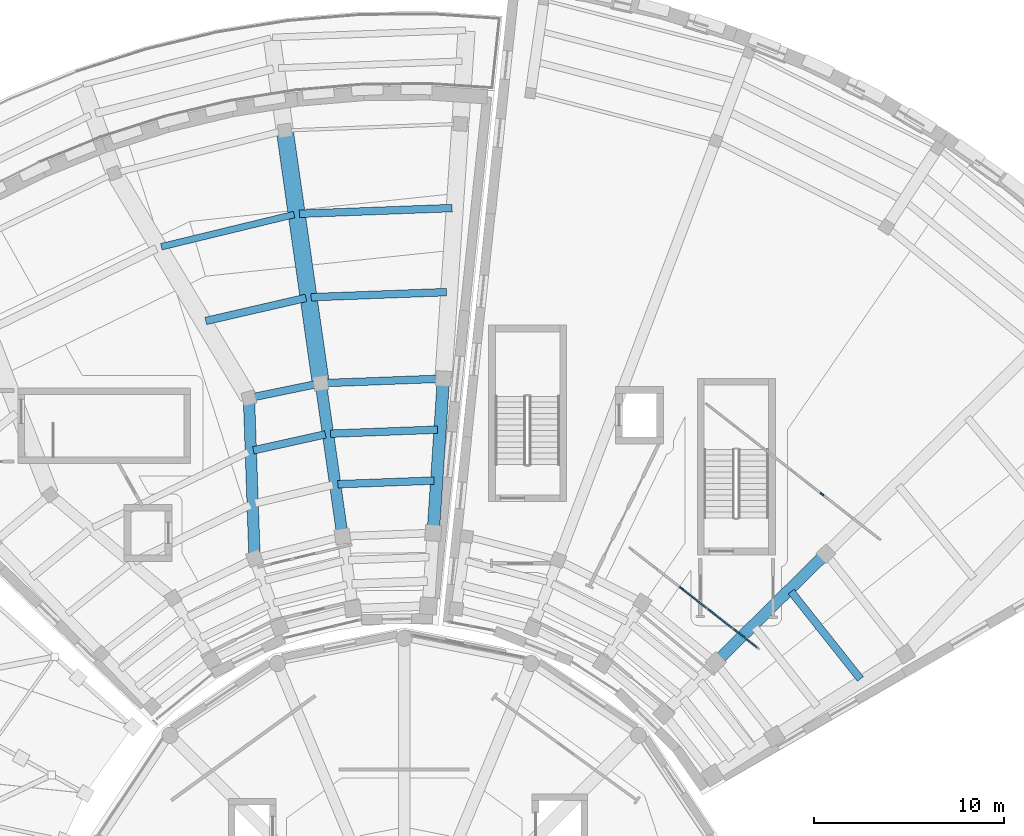
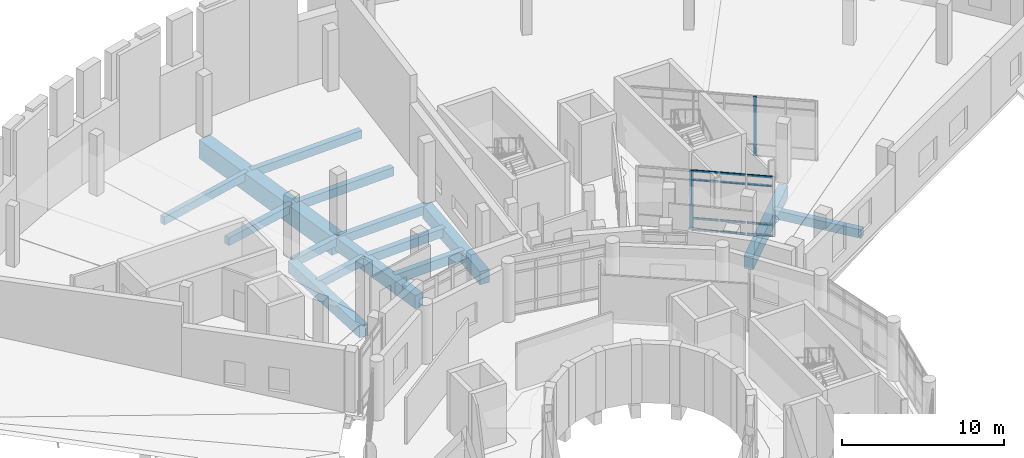
# One storey, part 17 of 49: 15 beams, 14 members, 2 elements without a shape of their own.
"""IFC4 building model written with IfcOpenShell, lengths in metres."""

from ifc_helpers import new_model, si_unit, direction, frame, origin, origin_2d, place, context, subcontext, project, spatial, rectangle, extrude, material, material_profile, profile_set, type_object, element, aggregate, save


model = new_model("IFC4")

# Units and contexts
model_context = context("Model", 3, precision=1e-05, world=origin(), true_north=direction((0.0, 1.0)))
body_context = subcontext(model_context, "Body", "Model", "MODEL_VIEW")
ifc_project = project(units=[si_unit("LENGTHUNIT", "METRE"), si_unit("AREAUNIT", "SQUARE_METRE"), si_unit("VOLUMEUNIT", "CUBIC_METRE"), si_unit("PLANEANGLEUNIT", "RADIAN"), si_unit("MASSUNIT", "GRAM", prefix="KILO")], contexts=[model_context])

# Site, building, storey
site_placement = place(None, origin())
site = spatial("IfcSite", under=ifc_project, at=site_placement, CompositionType="ELEMENT")
building_placement = place(site_placement, origin())
building = spatial("IfcBuilding", under=site, at=building_placement, Name="Soyqirgoq Riverine Aquarium", CompositionType="ELEMENT")
storey_placement = place(building_placement, frame((0.0, 0.0, 15.0)))
storey = spatial("IfcBuildingStorey", under=building, at=storey_placement, Name="L04", CompositionType="ELEMENT", Elevation=15.0)

# Beams
ifc_material_1 = material(Name="Concrete C40/50", Category="concrete")
ifc_material_profile_1 = material_profile(ifc_material_1, rectangle(XDim=0.35009765625, YDim=0.60009765625, at=origin_2d()), Name="RC 350x600")
ifc_profile_set_1 = profile_set([ifc_material_profile_1], Name="Concrete C40/50")
beam_type_1 = type_object("IfcBeamType", Name="Beam_RC_350x600", PredefinedType="JOIST", material=ifc_profile_set_1)
beam_1_placement = place(storey_placement, frame((50.197998046875, 96.77734375, -0.580078125), z_axis=(-0.971787927417, -0.235856363336, 0.0), x_axis=(0.235856363336, -0.971787927417, 0.0)))
element("IfcBeam", 1, at=beam_1_placement, inside=storey, type_object=beam_type_1, Name="V4 L04 Secondary Floor Joist 0726", PredefinedType="JOIST", context=body_context, shape_type="SweptSolid", body=[
    extrude(rectangle(XDim=0.35009765625, YDim=0.60009765625, at=origin_2d()), origin(), (0.0, 0.0, 1.0), 7.1962890625),
])
ifc_material_2 = material(Name="Concrete C40/50", Category="concrete")
ifc_material_profile_2 = material_profile(ifc_material_2, rectangle(XDim=0.39990234375, YDim=0.60009765625, at=origin_2d()), Name="RC 400x600")
ifc_profile_set_2 = profile_set([ifc_material_profile_2], Name="Concrete C40/50")
beam_type_2 = type_object("IfcBeamType", Name="Beam_RC_400x600", PredefinedType="JOIST", material=ifc_profile_set_2)
beam_2_placement = place(storey_placement, frame((51.84619140625, 85.195556640625, -0.580078125), z_axis=(-0.976074551465, -0.217436128513, 0.0), x_axis=(0.217436128513, -0.976074551465, 0.0)))
element("IfcBeam", 2, at=beam_2_placement, inside=storey, type_object=beam_type_2, Name="V4 L04 Secondary Floor Joist 0715", PredefinedType="JOIST", context=body_context, shape_type="SweptSolid", body=[
    extrude(rectangle(XDim=0.39990234375, YDim=0.60009765625, at=origin_2d()), origin(), (0.0, 0.0, 1.0), 3.885009765625),
])
beam_3_placement = place(storey_placement, frame((51.554931640625, 87.878662109375, -0.580078125), z_axis=(-0.979400860491, -0.20192561618, 0.0), x_axis=(0.20192561618, -0.979400860491, 0.0)))
element("IfcBeam", 3, at=beam_3_placement, inside=storey, type_object=beam_type_2, Name="V4 L04 Wedge Chord Beam 0721", PredefinedType="JOIST", context=body_context, shape_type="SweptSolid", body=[
    extrude(rectangle(XDim=0.39990234375, YDim=0.60009765625, at=origin_2d()), origin(), (0.0, 0.0, 1.0), 3.763916015625),
])
beam_4_placement = place(storey_placement, frame((58.52490234375, 97.117919921875, -0.580078125), z_axis=(-0.999296026099, -0.03751602621, 0.0), x_axis=(0.03751602621, -0.999296026099, 0.0)))
element("IfcBeam", 4, at=beam_4_placement, inside=storey, type_object=beam_type_2, Name="V4 L04 Secondary Floor Joist 0724", PredefinedType="JOIST", context=body_context, shape_type="SweptSolid", body=[
    extrude(rectangle(XDim=0.39990234375, YDim=0.60009765625, at=origin_2d()), origin(), (0.0, 0.0, 1.0), 8.056396484375),
])
beam_5_placement = place(storey_placement, frame((50.822998046875, 92.384765625, -0.580078125), z_axis=(-0.974458007266, -0.224569793329, 0.0), x_axis=(0.224569793329, -0.974458007266, 0.0)))
element("IfcBeam", 5, at=beam_5_placement, inside=storey, type_object=beam_type_2, Name="V4 L04 Secondary Floor Joist 0725", PredefinedType="JOIST", context=body_context, shape_type="SweptSolid", body=[
    extrude(rectangle(XDim=0.39990234375, YDim=0.60009765625, at=origin_2d()), origin(), (0.0, 0.0, 1.0), 5.416259765625),
])
ifc_material_3 = material(Name="Concrete C40/50", Category="concrete")
ifc_material_profile_3 = material_profile(ifc_material_3, rectangle(XDim=0.39990234375, YDim=0.64990234375, at=origin_2d()), Name="RC 400x650")
ifc_profile_set_3 = profile_set([ifc_material_profile_3], Name="Concrete C40/50")
beam_type_3 = type_object("IfcBeamType", Name="Beam_RC_400x650", PredefinedType="BEAM", material=ifc_profile_set_3)
beam_6_placement = place(storey_placement, frame((57.74951171875, 85.442626953125, -0.60498046875), z_axis=(-0.999294791735, -0.037548890946, 0.0), x_axis=(0.037548890946, -0.999294791735, 0.0)))
element("IfcBeam", 6, at=beam_6_placement, inside=storey, type_object=beam_type_3, Name="V4 L04 Secondary Floor Joist 0713", PredefinedType="BEAM", context=body_context, shape_type="SweptSolid", body=[
    extrude(rectangle(XDim=0.39990234375, YDim=0.64990234375, at=origin_2d()), origin(), (0.0, 0.0, 1.0), 5.630615234375),
])
beam_7_placement = place(storey_placement, frame((58.017578125, 88.12939453125, -0.60498046875), z_axis=(-0.999296861804, -0.037493759336, 0.0), x_axis=(0.037493759336, -0.999296861804, 0.0)))
element("IfcBeam", 7, at=beam_7_placement, inside=storey, type_object=beam_type_3, Name="V4 L04 Wedge Chord Beam 0720", PredefinedType="BEAM", context=body_context, shape_type="SweptSolid", body=[
    extrude(rectangle(XDim=0.39990234375, YDim=0.64990234375, at=origin_2d()), origin(), (0.0, 0.0, 1.0), 6.3681640625),
])
beam_8_placement = place(storey_placement, frame((58.23095703125, 92.689208984375, -0.60498046875), z_axis=(-0.999295532378, -0.037529174906, 0.0), x_axis=(0.037529174906, -0.999295532378, 0.0)))
element("IfcBeam", 8, at=beam_8_placement, inside=storey, type_object=beam_type_3, Name="V4 L04 Secondary Floor Joist 0723", PredefinedType="BEAM", context=body_context, shape_type="SweptSolid", body=[
    extrude(rectangle(XDim=0.39990234375, YDim=0.64990234375, at=origin_2d()), origin(), (0.0, 0.0, 1.0), 7.136474609375),
])
beam_9_placement = place(storey_placement, frame((80.038330078125, 72.30224609375, -0.60498046875), z_axis=(-0.621137956327, 0.783701243593, 0.0), x_axis=(-0.783701243593, -0.621137956327, 0.0)))
element("IfcBeam", 9, at=beam_9_placement, inside=storey, type_object=beam_type_3, Name="V5 L04 Secondary Floor Joist 0934", PredefinedType="BEAM", context=body_context, shape_type="SweptSolid", body=[
    extrude(rectangle(XDim=0.39990234375, YDim=0.64990234375, at=origin_2d()), origin(), (0.0, 0.0, 1.0), 5.878173828125),
])
ifc_material_4 = material(Name="Concrete C40/50", Category="concrete")
ifc_material_profile_4 = material_profile(ifc_material_4, rectangle(XDim=0.39990234375, YDim=0.699951171875, at=origin_2d()), Name="RC 400x700")
ifc_profile_set_4 = profile_set([ifc_material_profile_4], Name="Concrete C40/50")
beam_type_4 = type_object("IfcBeamType", Name="Beam_RC_400x700", PredefinedType="BEAM", material=ifc_profile_set_4)
beam_10_placement = place(storey_placement, frame((57.5712890625, 82.759033203125, -0.6298828125), z_axis=(-0.999295248441, -0.037536734591, 0.0), x_axis=(0.037536734591, -0.999295248441, 0.0)))
element("IfcBeam", 10, at=beam_10_placement, inside=storey, type_object=beam_type_4, Name="V4 L04 Secondary Floor Joist 0712", PredefinedType="BEAM", context=body_context, shape_type="SweptSolid", body=[
    extrude(rectangle(XDim=0.39990234375, YDim=0.699951171875, at=origin_2d()), origin(), (0.0, 0.0, 1.0), 5.0732421875),
])

# Curtain wall, member
ifc_material_5 = material(Name="Cast polymethyl methacrylate PMMA Habitat Viewing Glazing", Category="glass")
curtain_wall_type = type_object("IfcCurtainWallType", Name="CW_Interior_TankVitrine", PredefinedType="NOTDEFINED", material=ifc_material_5)
curtain_wall_1_placement = place(storey_placement, origin())
curtain_wall_1 = element("IfcCurtainWall", 11, at=curtain_wall_1_placement, inside=storey, type_object=curtain_wall_type, Name="V5 L04 Curtain Wall 163", PredefinedType="NOTDEFINED")
ifc_material_6 = material(Name="Anodised aluminium 6063-T6", Category="aluminium")
ifc_material_profile_5 = material_profile(ifc_material_6, rectangle(XDim=0.080078125, YDim=0.219970703125, at=origin_2d()), Name="ALU-M 80x220")
ifc_profile_set_5 = profile_set([ifc_material_profile_5], Name="Anodised aluminium 6063-T6")
member_type_1 = type_object("IfcMemberType", Name="CWMullion_80x220", PredefinedType="MULLION", material=ifc_profile_set_5)
member_1_placement = place(storey_placement, frame((70.60498046875, 77.082763671875, 0.0), z_axis=(0.0, 0.0, 1.0), x_axis=(-0.615661060826, -0.788011077449, 0.0)))
member_1 = element("IfcMember", 12, at=member_1_placement, type_object=member_type_1, Name="CW-07 mullion 4", PredefinedType="MULLION", context=body_context, shape_type="SweptSolid", body=[
    extrude(rectangle(XDim=0.080078125, YDim=0.219970703125, at=origin_2d()), origin(), (0.0, 0.0, 1.0), 4.52001953125),
])

curtain_wall_2_placement = place(storey_placement, origin())
curtain_wall_2 = element("IfcCurtainWall", 13, at=curtain_wall_2_placement, inside=storey, type_object=curtain_wall_type, Name="V5 L04 Curtain Wall 164", PredefinedType="NOTDEFINED")
member_2_placement = place(storey_placement, frame((78.008544921875, 82.046142578125, 0.0), z_axis=(0.0, 0.0, 1.0), x_axis=(-0.615655141832, -0.788015701833, 0.0)))
member_2 = element("IfcMember", 14, at=member_2_placement, type_object=member_type_1, Name="CW-07 mullion 3", PredefinedType="MULLION", context=body_context, shape_type="SweptSolid", body=[
    extrude(rectangle(XDim=0.080078125, YDim=0.219970703125, at=origin_2d()), origin(), (0.0, 0.0, 1.0), 4.52001953125),
])
aggregate(curtain_wall_2, [member_2])

# Member
ifc_material_7 = material(Name="Anodised aluminium 6063-T6", Category="aluminium")
ifc_material_profile_6 = material_profile(ifc_material_7, rectangle(XDim=0.074951171875, YDim=0.14990234375, at=origin_2d()), Name="ALU-T 75x150")
ifc_profile_set_6 = profile_set([ifc_material_profile_6], Name="Anodised aluminium 6063-T6")
member_type_2 = type_object("IfcMemberType", Name="CWTransom_75x150", PredefinedType="USERDEFINED", material=ifc_profile_set_6)
member_3_placement = place(storey_placement, frame((74.58544921875, 73.972900390625, 0.03759765625), z_axis=(-0.788019719657, 0.615649999132, 0.0), x_axis=(-0.615649999132, -0.788019719657, 0.0)))
member_3 = element("IfcMember", 15, at=member_3_placement, type_object=member_type_2, Name="CW-07 transom 1.1", ObjectType="TRANSOM", PredefinedType="USERDEFINED", context=body_context, shape_type="SweptSolid", body=[
    extrude(rectangle(XDim=0.074951171875, YDim=0.14990234375, at=origin_2d()), origin(), (0.0, 0.0, 1.0), 1.590576171875),
])

member_4_placement = place(storey_placement, frame((74.58544921875, 73.972900390625, 0.89990234375), z_axis=(-0.788019719657, 0.615649999132, 0.0), x_axis=(-0.615649999132, -0.788019719657, 0.0)))
member_4 = element("IfcMember", 16, at=member_4_placement, type_object=member_type_2, Name="CW-07 transom 1.2", ObjectType="TRANSOM", PredefinedType="USERDEFINED", context=body_context, shape_type="SweptSolid", body=[
    extrude(rectangle(XDim=0.074951171875, YDim=0.14990234375, at=origin_2d()), origin(), (0.0, 0.0, 1.0), 1.590576171875),
])

member_5_placement = place(storey_placement, frame((74.58544921875, 73.972900390625, 3.820068359375), z_axis=(-0.788019719657, 0.615649999132, 0.0), x_axis=(-0.615649999132, -0.788019719657, 0.0)))
member_5 = element("IfcMember", 17, at=member_5_placement, type_object=member_type_2, Name="CW-07 transom 1.3", ObjectType="TRANSOM", PredefinedType="USERDEFINED", context=body_context, shape_type="SweptSolid", body=[
    extrude(rectangle(XDim=0.074951171875, YDim=0.14990234375, at=origin_2d()), origin(), (0.0, 0.0, 1.0), 1.590576171875),
])

member_6_placement = place(storey_placement, frame((74.58544921875, 73.972900390625, 4.482421875), z_axis=(-0.788019719657, 0.615649999132, 0.0), x_axis=(-0.615649999132, -0.788019719657, 0.0)))
member_6 = element("IfcMember", 18, at=member_6_placement, type_object=member_type_2, Name="CW-07 transom 1.4", ObjectType="TRANSOM", PredefinedType="USERDEFINED", context=body_context, shape_type="SweptSolid", body=[
    extrude(rectangle(XDim=0.074951171875, YDim=0.14990234375, at=origin_2d()), origin(), (0.0, 0.0, 1.0), 1.590576171875),
])

member_7_placement = place(storey_placement, frame((73.26904296875, 75.001220703125, 0.03759765625), z_axis=(-0.787947180465, 0.615742836578, 0.0), x_axis=(-0.615742836578, -0.787947180465, 0.0)))
member_7 = element("IfcMember", 19, at=member_7_placement, type_object=member_type_2, Name="CW-07 transom 2.1", ObjectType="TRANSOM", PredefinedType="USERDEFINED", context=body_context, shape_type="SweptSolid", body=[
    extrude(rectangle(XDim=0.074951171875, YDim=0.14990234375, at=origin_2d()), origin(), (0.0, 0.0, 1.0), 1.63037109375),
])

member_8_placement = place(storey_placement, frame((73.26904296875, 75.001220703125, 0.89990234375), z_axis=(-0.787947180465, 0.615742836578, 0.0), x_axis=(-0.615742836578, -0.787947180465, 0.0)))
member_8 = element("IfcMember", 20, at=member_8_placement, type_object=member_type_2, Name="CW-07 transom 2.2", ObjectType="TRANSOM", PredefinedType="USERDEFINED", context=body_context, shape_type="SweptSolid", body=[
    extrude(rectangle(XDim=0.074951171875, YDim=0.14990234375, at=origin_2d()), origin(), (0.0, 0.0, 1.0), 1.63037109375),
])

member_9_placement = place(storey_placement, frame((73.26904296875, 75.001220703125, 3.820068359375), z_axis=(-0.787947180465, 0.615742836578, 0.0), x_axis=(-0.615742836578, -0.787947180465, 0.0)))
member_9 = element("IfcMember", 21, at=member_9_placement, type_object=member_type_2, Name="CW-07 transom 2.3", ObjectType="TRANSOM", PredefinedType="USERDEFINED", context=body_context, shape_type="SweptSolid", body=[
    extrude(rectangle(XDim=0.074951171875, YDim=0.14990234375, at=origin_2d()), origin(), (0.0, 0.0, 1.0), 1.63037109375),
])

member_10_placement = place(storey_placement, frame((73.26904296875, 75.001220703125, 4.482421875), z_axis=(-0.787947180465, 0.615742836578, 0.0), x_axis=(-0.615742836578, -0.787947180465, 0.0)))
member_10 = element("IfcMember", 22, at=member_10_placement, type_object=member_type_2, Name="CW-07 transom 2.4", ObjectType="TRANSOM", PredefinedType="USERDEFINED", context=body_context, shape_type="SweptSolid", body=[
    extrude(rectangle(XDim=0.074951171875, YDim=0.14990234375, at=origin_2d()), origin(), (0.0, 0.0, 1.0), 1.63037109375),
])

member_11_placement = place(storey_placement, frame((71.92138671875, 76.054443359375, 0.03759765625), z_axis=(-0.788076584323, 0.615577206565, 0.0), x_axis=(-0.615577206565, -0.788076584323, 0.0)))
member_11 = element("IfcMember", 23, at=member_11_placement, type_object=member_type_2, Name="CW-07 transom 3.1", ObjectType="TRANSOM", PredefinedType="USERDEFINED", context=body_context, shape_type="SweptSolid", body=[
    extrude(rectangle(XDim=0.074951171875, YDim=0.14990234375, at=origin_2d()), origin(), (0.0, 0.0, 1.0), 1.63037109375),
])

member_12_placement = place(storey_placement, frame((71.92138671875, 76.054443359375, 0.89990234375), z_axis=(-0.788076584323, 0.615577206565, 0.0), x_axis=(-0.615577206565, -0.788076584323, 0.0)))
member_12 = element("IfcMember", 24, at=member_12_placement, type_object=member_type_2, Name="CW-07 transom 3.2", ObjectType="TRANSOM", PredefinedType="USERDEFINED", context=body_context, shape_type="SweptSolid", body=[
    extrude(rectangle(XDim=0.074951171875, YDim=0.14990234375, at=origin_2d()), origin(), (0.0, 0.0, 1.0), 1.63037109375),
])

member_13_placement = place(storey_placement, frame((71.92138671875, 76.054443359375, 3.820068359375), z_axis=(-0.788076584323, 0.615577206565, 0.0), x_axis=(-0.615577206565, -0.788076584323, 0.0)))
member_13 = element("IfcMember", 25, at=member_13_placement, type_object=member_type_2, Name="CW-07 transom 3.3", ObjectType="TRANSOM", PredefinedType="USERDEFINED", context=body_context, shape_type="SweptSolid", body=[
    extrude(rectangle(XDim=0.074951171875, YDim=0.14990234375, at=origin_2d()), origin(), (0.0, 0.0, 1.0), 1.63037109375),
])

member_14_placement = place(storey_placement, frame((71.92138671875, 76.054443359375, 4.482421875), z_axis=(-0.788076584323, 0.615577206565, 0.0), x_axis=(-0.615577206565, -0.788076584323, 0.0)))
member_14 = element("IfcMember", 26, at=member_14_placement, type_object=member_type_2, Name="CW-07 transom 3.4", ObjectType="TRANSOM", PredefinedType="USERDEFINED", context=body_context, shape_type="SweptSolid", body=[
    extrude(rectangle(XDim=0.074951171875, YDim=0.14990234375, at=origin_2d()), origin(), (0.0, 0.0, 1.0), 1.63037109375),
])

aggregate(curtain_wall_1, [member_1, member_3, member_4, member_5, member_6, member_7, member_8, member_9, member_10, member_11, member_12, member_13, member_14])

# Beams
ifc_material_8 = material(Name="Concrete C40/50", Category="concrete")
ifc_material_profile_7 = material_profile(ifc_material_8, rectangle(XDim=0.60009765625, YDim=1.0, at=origin_2d()), Name="RC 600x1000")
ifc_profile_set_7 = profile_set([ifc_material_profile_7], Name="Concrete C40/50")
beam_type_5 = type_object("IfcBeamType", Name="Girder_RC_600x1000", PredefinedType="BEAM", material=ifc_profile_set_7)
for number, where, z_axis, x_axis, name in (
    (27, (52.7451171875, 79.869384765625, -0.780029296875), (-0.140903336664, 0.990023358167, 0.0), (-0.990023358167, -0.140903336664, 0.0), "V4 L04 Wedge Radial Girder 0681"),
    (28, (72.44775390625, 73.2197265625, -0.780029296875), (0.712032910535, 0.702146091861, 0.0), (-0.702146091861, 0.712032910535, 0.0), "V5 L04 Wedge Radial Girder 0907"),
):
    element("IfcBeam", number, at=place(storey_placement, frame(where, z_axis=z_axis, x_axis=x_axis)), inside=storey, type_object=beam_type_5, Name=name, PredefinedType="BEAM", context=body_context, shape_type="SweptSolid", body=[
        extrude(rectangle(XDim=0.60009765625, YDim=1.0, at=origin_2d()), origin(), (0.0, 0.0, 1.0), 8.050048828125),
    ])
ifc_material_9 = material(Name="Concrete C40/50", Category="concrete")
ifc_material_profile_8 = material_profile(ifc_material_9, rectangle(XDim=0.60009765625, YDim=0.89990234375, at=origin_2d()), Name="RC 600x900")
ifc_profile_set_8 = profile_set([ifc_material_profile_8], Name="Concrete C40/50")
beam_type_6 = type_object("IfcBeamType", Name="Girder_RC_600x900", PredefinedType="BEAM", material=ifc_profile_set_8)
beam_11_placement = place(storey_placement, frame((48.114501953125, 78.7099609375, -0.72998046875), z_axis=(-0.035070236871, 0.999384850038, 0.0), x_axis=(-0.999384850038, -0.035070236871, 0.0)))
element("IfcBeam", 29, at=beam_11_placement, inside=storey, type_object=beam_type_6, Name="V4 L04 Wedge Radial Girder 0685", PredefinedType="BEAM", context=body_context, shape_type="SweptSolid", body=[
    extrude(rectangle(XDim=0.60009765625, YDim=0.89990234375, at=origin_2d()), origin(), (0.0, 0.0, 1.0), 8.353759765625),
])
ifc_material_10 = material(Name="Concrete C40/50", Category="concrete")
ifc_material_profile_9 = material_profile(ifc_material_10, rectangle(XDim=0.64990234375, YDim=1.0, at=origin_2d()), Name="RC 650x1000")
ifc_profile_set_9 = profile_set([ifc_material_profile_9], Name="Concrete C40/50")
beam_type_7 = type_object("IfcBeamType", Name="Girder_RC_650x1000", PredefinedType="BEAM", material=ifc_profile_set_9)
beam_12_placement = place(storey_placement, frame((57.531005859375, 80.04931640625, -0.780029296875), z_axis=(0.066267390666, 0.997801900647, 0.0), x_axis=(-0.997801900647, 0.066267390666, 0.0)))
element("IfcBeam", 30, at=beam_12_placement, inside=storey, type_object=beam_type_7, Name="V4 L04 Wedge Radial Girder 0677", PredefinedType="BEAM", context=body_context, shape_type="SweptSolid", body=[
    extrude(rectangle(XDim=0.64990234375, YDim=1.0, at=origin_2d()), origin(), (0.0, 0.0, 1.0), 8.0498046875),
])
ifc_material_11 = material(Name="Waterproof concrete C45/55", Category="concrete")
ifc_material_profile_10 = material_profile(ifc_material_11, rectangle(XDim=0.89990234375, YDim=1.39990234375, at=origin_2d()), Name="RC 900x1400")
ifc_profile_set_10 = profile_set([ifc_material_profile_10], Name="Waterproof concrete C45/55")
beam_type_8 = type_object("IfcBeamType", Name="TransferGirder_900x1400", PredefinedType="BEAM", material=ifc_profile_set_10)
beam_13_placement = place(storey_placement, frame((51.596923828125, 87.938232421875, -0.97998046875), z_axis=(-0.140906721277, 0.990022876452, 0.0), x_axis=(-0.990022876452, -0.140906721277, 0.0)))
element("IfcBeam", 31, at=beam_13_placement, inside=storey, type_object=beam_type_8, Name="V4 L04 Wedge Radial Girder 0682", PredefinedType="BEAM", context=body_context, shape_type="SweptSolid", body=[
    extrude(rectangle(XDim=0.89990234375, YDim=1.39990234375, at=origin_2d()), origin(), (0.0, 0.0, 1.0), 13.35009765625),
])

save(model, "model.ifc")
